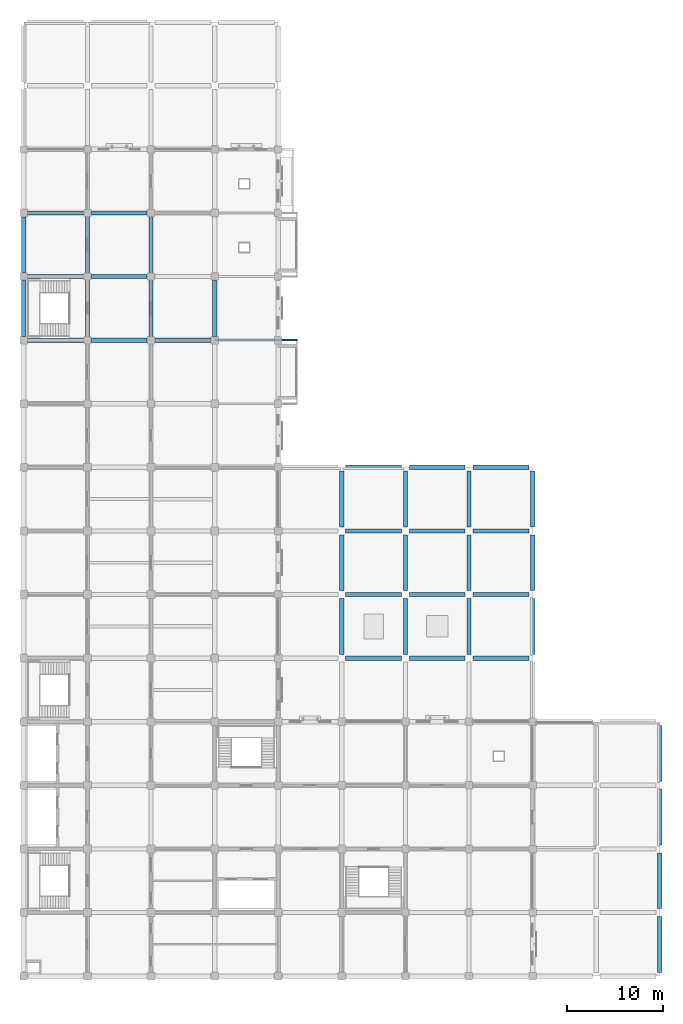
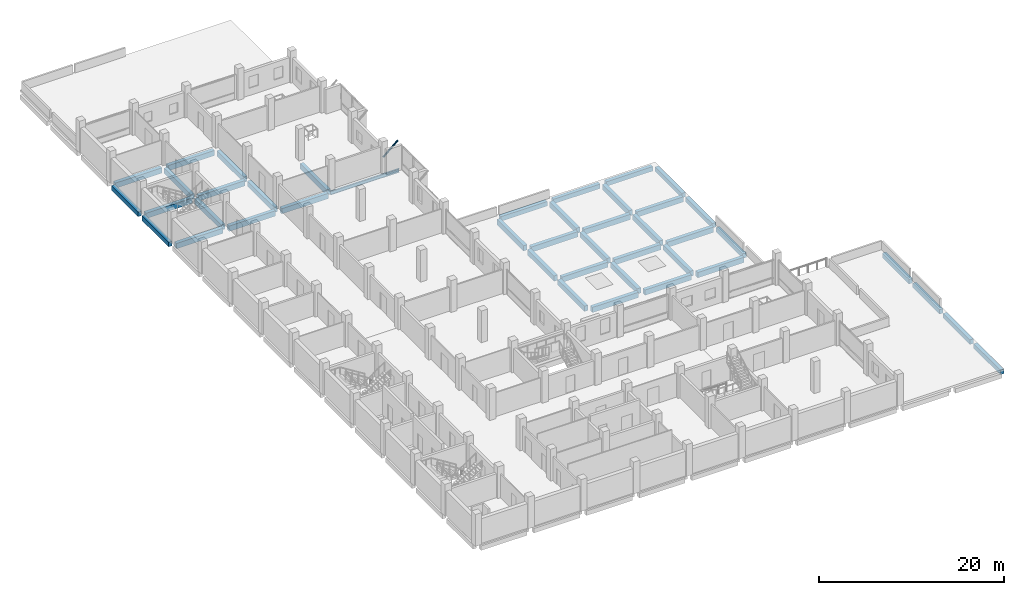
# One storey, part 9 of 23: 43 beams, 1 member.
"""IFC4 building model written with IfcOpenShell, lengths in metres."""

from ifc_helpers import new_model, si_unit, direction, frame, origin, origin_2d, place, context, subcontext, project, spatial, rectangle, hollow_circle, i_section, extrude, material, material_profile, profile_set, type_object, element, save


model = new_model("IFC4")

# Units and contexts
model_context = context("Model", 3, precision=1e-05, world=origin(), true_north=direction((0.0, 1.0)))
body_context = subcontext(model_context, "Body", "Model", "MODEL_VIEW")
ifc_project = project(units=[si_unit("LENGTHUNIT", "METRE"), si_unit("AREAUNIT", "SQUARE_METRE"), si_unit("VOLUMEUNIT", "CUBIC_METRE"), si_unit("PLANEANGLEUNIT", "RADIAN"), si_unit("MASSUNIT", "GRAM", prefix="KILO")], contexts=[model_context])

# Site, building, storey
site_placement = place(None, origin())
site = spatial("IfcSite", under=ifc_project, at=site_placement, CompositionType="ELEMENT")
building_placement = place(site_placement, origin())
building = spatial("IfcBuilding", under=site, at=building_placement, Name="Rusizi Kubbe Research Institute", CompositionType="ELEMENT")
storey_placement = place(building_placement, frame((0.0, 0.0, 18.60009765625)))
storey = spatial("IfcBuildingStorey", under=building, at=storey_placement, Name="L04", CompositionType="ELEMENT", Elevation=18.60009765625)

# Beams
ifc_material_1 = material(Name="Steel S355", Category="steel")
ifc_material_profile_1 = material_profile(ifc_material_1, i_section(OverallWidth=0.18994140625, OverallDepth=0.449951171875, WebThickness=0.009521484375, FlangeThickness=0.0146484375, at=origin_2d()), Name="IPE 450")
ifc_profile_set_1 = profile_set([ifc_material_profile_1], Name="Steel S355")
beam_type_1 = type_object("IfcBeamType", Name="BM-IPE450", PredefinedType="BEAM", material=ifc_profile_set_1)
beam_1_placement = place(storey_placement, frame((19.800048828125, 66.0, -0.565185546875), z_axis=(1.0, 0.0, 0.0), x_axis=(0.0, 1.0, 0.0)))
element("IfcBeam", 1, at=beam_1_placement, inside=storey, type_object=beam_type_1, Name="Cumba Back-Spanned Cantilever Beam L04-1N", PredefinedType="BEAM", context=body_context, shape_type="SweptSolid", body=[
    extrude(i_section(OverallWidth=0.18994140625, OverallDepth=0.449951171875, WebThickness=0.009521484375, FlangeThickness=0.0146484375, at=origin_2d()), origin(), (0.0, 0.0, 1.0), 8.599853515625),
])
ifc_material_2 = material(Name="Concrete C40/50", Category="concrete")
ifc_material_profile_2 = material_profile(ifc_material_2, rectangle(XDim=0.449951171875, YDim=0.60009765625, at=origin_2d()), Name="RC450x600")
ifc_profile_set_2 = profile_set([ifc_material_profile_2], Name="Concrete C40/50")
beam_type_2 = type_object("IfcBeamType", Name="BM-RC450x600", PredefinedType="SPANDREL", material=ifc_profile_set_2)
for number, where, z_axis, x_axis, name in (
    (2, (33.39990234375, 52.800048828125, -0.64013671875), (1.0, 0.0, 0.0), (0.0, 1.0, 0.0), "Grid Beam H L04 (5,8)"),
    (3, (40.0, 52.800048828125, -0.64013671875), (1.0, 0.0, 0.0), (0.0, 1.0, 0.0), "Grid Beam H L04 (6,8)"),
):
    element("IfcBeam", number, at=place(storey_placement, frame(where, z_axis=z_axis, x_axis=x_axis)), inside=storey, type_object=beam_type_2, Name=name, PredefinedType="SPANDREL", context=body_context, shape_type="SweptSolid", body=[
        extrude(rectangle(XDim=0.449951171875, YDim=0.60009765625, at=origin_2d()), origin(), (0.0, 0.0, 1.0), 5.800048828125),
    ])
beam_2_placement = place(storey_placement, frame((46.60009765625, 52.800048828125, -0.64013671875), z_axis=(1.0, 0.0, 0.0), x_axis=(0.0, 1.0, 0.0)))
element("IfcBeam", 4, at=beam_2_placement, inside=storey, type_object=beam_type_2, Name="Grid Beam H L04 (7,8)", PredefinedType="SPANDREL", context=body_context, shape_type="SweptSolid", body=[
    extrude(rectangle(XDim=0.449951171875, YDim=0.60009765625, at=origin_2d()), origin(), (0.0, 0.0, 1.0), 5.7998046875),
])
for number, where, z_axis, x_axis, name in (
    (5, (0.0, 66.39990234375, -0.64013671875), (0.0, 1.0, 0.0), (-1.0, 0.0, 0.0), "Grid Beam V L04 (0,10)"),
    (6, (0.0, 73.0, -0.64013671875), (0.0, 1.0, 0.0), (-1.0, 0.0, 0.0), "Grid Beam V L04 (0,11)"),
    (7, (52.800048828125, 33.39990234375, -0.64013671875), (0.0, 1.0, 0.0), (-1.0, 0.0, 0.0), "Grid Beam V L04 (8,5)"),
    (8, (52.800048828125, 40.0, -0.64013671875), (0.0, 1.0, 0.0), (-1.0, 0.0, 0.0), "Grid Beam V L04 (8,6)"),
):
    element("IfcBeam", number, at=place(storey_placement, frame(where, z_axis=z_axis, x_axis=x_axis)), inside=storey, type_object=beam_type_2, Name=name, PredefinedType="SPANDREL", context=body_context, shape_type="SweptSolid", body=[
        extrude(rectangle(XDim=0.449951171875, YDim=0.60009765625, at=origin_2d()), origin(), (0.0, 0.0, 1.0), 5.800048828125),
    ])
beam_3_placement = place(storey_placement, frame((52.800048828125, 46.60009765625, -0.64013671875), z_axis=(0.0, 1.0, 0.0), x_axis=(-1.0, 0.0, 0.0)))
element("IfcBeam", 9, at=beam_3_placement, inside=storey, type_object=beam_type_2, Name="Grid Beam V L04 (8,7)", PredefinedType="SPANDREL", context=body_context, shape_type="SweptSolid", body=[
    extrude(rectangle(XDim=0.449951171875, YDim=0.60009765625, at=origin_2d()), origin(), (0.0, 0.0, 1.0), 5.7998046875),
])
for number, where, z_axis, x_axis, name in (
    (10, (66.0, 0.39990234375, -0.64013671875), (0.0, 1.0, 0.0), (-1.0, 0.0, 0.0), "Grid Beam V L04 (10,0)"),
    (11, (66.0, 7.0, -0.64013671875), (0.0, 1.0, 0.0), (-1.0, 0.0, 0.0), "Grid Beam V L04 (10,1)"),
):
    element("IfcBeam", number, at=place(storey_placement, frame(where, z_axis=z_axis, x_axis=x_axis)), inside=storey, type_object=beam_type_2, Name=name, PredefinedType="SPANDREL", context=body_context, shape_type="SweptSolid", body=[
        extrude(rectangle(XDim=0.449951171875, YDim=0.60009765625, at=origin_2d()), origin(), (0.0, 0.0, 1.0), 5.800048828125),
    ])
beam_4_placement = place(storey_placement, frame((66.0, 13.60009765625, -0.64013671875), z_axis=(0.0, 1.0, 0.0), x_axis=(-1.0, 0.0, 0.0)))
element("IfcBeam", 12, at=beam_4_placement, inside=storey, type_object=beam_type_2, Name="Grid Beam V L04 (10,2)", PredefinedType="SPANDREL", context=body_context, shape_type="SweptSolid", body=[
    extrude(rectangle(XDim=0.449951171875, YDim=0.60009765625, at=origin_2d()), origin(), (0.0, 0.0, 1.0), 5.7998046875),
])
beam_5_placement = place(storey_placement, frame((66.0, 20.199951171875, -0.64013671875), z_axis=(0.0, 1.0, 0.0), x_axis=(-1.0, 0.0, 0.0)))
element("IfcBeam", 13, at=beam_5_placement, inside=storey, type_object=beam_type_2, Name="Grid Beam V L04 (10,3)", PredefinedType="SPANDREL", context=body_context, shape_type="SweptSolid", body=[
    extrude(rectangle(XDim=0.449951171875, YDim=0.60009765625, at=origin_2d()), origin(), (0.0, 0.0, 1.0), 5.800048828125),
])
ifc_material_3 = material(Name="Concrete C40/50", Category="concrete")
ifc_material_profile_3 = material_profile(ifc_material_3, rectangle(XDim=0.449951171875, YDim=0.699951171875, at=origin_2d()), Name="RC450x700B")
ifc_profile_set_3 = profile_set([ifc_material_profile_3], Name="Concrete C40/50")
beam_type_3 = type_object("IfcBeamType", Name="BM-RC450x700", PredefinedType="BEAM", material=ifc_profile_set_3)
for number, where, z_axis, x_axis, name in (
    (14, (0.39990234375, 66.0, -0.690185546875), (1.0, 0.0, 0.0), (0.0, 1.0, 0.0), "Grid Beam H L04 (0,10)"),
    (15, (0.39990234375, 72.60009765625, -0.690185546875), (1.0, 0.0, 0.0), (0.0, 1.0, 0.0), "Grid Beam H L04 (0,11)"),
    (16, (0.39990234375, 79.199951171875, -0.690185546875), (1.0, 0.0, 0.0), (0.0, 1.0, 0.0), "Grid Beam H L04 (0,12)"),
    (17, (7.0, 66.0, -0.690185546875), (1.0, 0.0, 0.0), (0.0, 1.0, 0.0), "Grid Beam H L04 (1,10)"),
    (18, (7.0, 72.60009765625, -0.690185546875), (1.0, 0.0, 0.0), (0.0, 1.0, 0.0), "Grid Beam H L04 (1,11)"),
    (19, (7.0, 79.199951171875, -0.690185546875), (1.0, 0.0, 0.0), (0.0, 1.0, 0.0), "Grid Beam H L04 (1,12)"),
):
    element("IfcBeam", number, at=place(storey_placement, frame(where, z_axis=z_axis, x_axis=x_axis)), inside=storey, type_object=beam_type_3, Name=name, PredefinedType="BEAM", context=body_context, shape_type="SweptSolid", body=[
        extrude(rectangle(XDim=0.449951171875, YDim=0.699951171875, at=origin_2d()), origin(), (0.0, 0.0, 1.0), 5.800048828125),
    ])
beam_6_placement = place(storey_placement, frame((13.60009765625, 66.0, -0.690185546875), z_axis=(1.0, 0.0, 0.0), x_axis=(0.0, 1.0, 0.0)))
element("IfcBeam", 20, at=beam_6_placement, inside=storey, type_object=beam_type_3, Name="Grid Beam H L04 (2,10)", PredefinedType="BEAM", context=body_context, shape_type="SweptSolid", body=[
    extrude(rectangle(XDim=0.449951171875, YDim=0.699951171875, at=origin_2d()), origin(), (0.0, 0.0, 1.0), 5.7998046875),
])
for number, where, z_axis, x_axis, name in (
    (21, (33.39990234375, 33.0, -0.690185546875), (1.0, 0.0, 0.0), (0.0, 1.0, 0.0), "Grid Beam H L04 (5,5)"),
    (22, (33.39990234375, 39.60009765625, -0.690185546875), (1.0, 0.0, 0.0), (0.0, 1.0, 0.0), "Grid Beam H L04 (5,6)"),
    (23, (33.39990234375, 46.199951171875, -0.690185546875), (1.0, 0.0, 0.0), (0.0, 1.0, 0.0), "Grid Beam H L04 (5,7)"),
    (24, (40.0, 33.0, -0.690185546875), (1.0, 0.0, 0.0), (0.0, 1.0, 0.0), "Grid Beam H L04 (6,5)"),
    (25, (40.0, 39.60009765625, -0.690185546875), (1.0, 0.0, 0.0), (0.0, 1.0, 0.0), "Grid Beam H L04 (6,6)"),
    (26, (40.0, 46.199951171875, -0.690185546875), (1.0, 0.0, 0.0), (0.0, 1.0, 0.0), "Grid Beam H L04 (6,7)"),
):
    element("IfcBeam", number, at=place(storey_placement, frame(where, z_axis=z_axis, x_axis=x_axis)), inside=storey, type_object=beam_type_3, Name=name, PredefinedType="BEAM", context=body_context, shape_type="SweptSolid", body=[
        extrude(rectangle(XDim=0.449951171875, YDim=0.699951171875, at=origin_2d()), origin(), (0.0, 0.0, 1.0), 5.800048828125),
    ])
for number, where, z_axis, x_axis, name in (
    (27, (46.60009765625, 33.0, -0.690185546875), (1.0, 0.0, 0.0), (0.0, 1.0, 0.0), "Grid Beam H L04 (7,5)"),
    (28, (46.60009765625, 39.60009765625, -0.690185546875), (1.0, 0.0, 0.0), (0.0, 1.0, 0.0), "Grid Beam H L04 (7,6)"),
    (29, (46.60009765625, 46.199951171875, -0.690185546875), (1.0, 0.0, 0.0), (0.0, 1.0, 0.0), "Grid Beam H L04 (7,7)"),
):
    element("IfcBeam", number, at=place(storey_placement, frame(where, z_axis=z_axis, x_axis=x_axis)), inside=storey, type_object=beam_type_3, Name=name, PredefinedType="BEAM", context=body_context, shape_type="SweptSolid", body=[
        extrude(rectangle(XDim=0.449951171875, YDim=0.699951171875, at=origin_2d()), origin(), (0.0, 0.0, 1.0), 5.7998046875),
    ])
for number, where, z_axis, x_axis, name in (
    (30, (6.60009765625, 66.39990234375, -0.690185546875), (0.0, 1.0, 0.0), (-1.0, 0.0, 0.0), "Grid Beam V L04 (1,10)"),
    (31, (6.60009765625, 73.0, -0.690185546875), (0.0, 1.0, 0.0), (-1.0, 0.0, 0.0), "Grid Beam V L04 (1,11)"),
    (32, (13.199951171875, 66.39990234375, -0.690185546875), (0.0, 1.0, 0.0), (-1.0, 0.0, 0.0), "Grid Beam V L04 (2,10)"),
    (33, (13.199951171875, 73.0, -0.690185546875), (0.0, 1.0, 0.0), (-1.0, 0.0, 0.0), "Grid Beam V L04 (2,11)"),
    (34, (19.800048828125, 66.39990234375, -0.690185546875), (0.0, 1.0, 0.0), (-1.0, 0.0, 0.0), "Grid Beam V L04 (3,10)"),
    (35, (33.0, 33.39990234375, -0.690185546875), (0.0, 1.0, 0.0), (-1.0, 0.0, 0.0), "Grid Beam V L04 (5,5)"),
    (36, (33.0, 40.0, -0.690185546875), (0.0, 1.0, 0.0), (-1.0, 0.0, 0.0), "Grid Beam V L04 (5,6)"),
):
    element("IfcBeam", number, at=place(storey_placement, frame(where, z_axis=z_axis, x_axis=x_axis)), inside=storey, type_object=beam_type_3, Name=name, PredefinedType="BEAM", context=body_context, shape_type="SweptSolid", body=[
        extrude(rectangle(XDim=0.449951171875, YDim=0.699951171875, at=origin_2d()), origin(), (0.0, 0.0, 1.0), 5.800048828125),
    ])
beam_7_placement = place(storey_placement, frame((33.0, 46.60009765625, -0.690185546875), z_axis=(0.0, 1.0, 0.0), x_axis=(-1.0, 0.0, 0.0)))
element("IfcBeam", 37, at=beam_7_placement, inside=storey, type_object=beam_type_3, Name="Grid Beam V L04 (5,7)", PredefinedType="BEAM", context=body_context, shape_type="SweptSolid", body=[
    extrude(rectangle(XDim=0.449951171875, YDim=0.699951171875, at=origin_2d()), origin(), (0.0, 0.0, 1.0), 5.7998046875),
])
for number, where, z_axis, x_axis, name in (
    (38, (39.60009765625, 33.39990234375, -0.690185546875), (0.0, 1.0, 0.0), (-1.0, 0.0, 0.0), "Grid Beam V L04 (6,5)"),
    (39, (39.60009765625, 40.0, -0.690185546875), (0.0, 1.0, 0.0), (-1.0, 0.0, 0.0), "Grid Beam V L04 (6,6)"),
):
    element("IfcBeam", number, at=place(storey_placement, frame(where, z_axis=z_axis, x_axis=x_axis)), inside=storey, type_object=beam_type_3, Name=name, PredefinedType="BEAM", context=body_context, shape_type="SweptSolid", body=[
        extrude(rectangle(XDim=0.449951171875, YDim=0.699951171875, at=origin_2d()), origin(), (0.0, 0.0, 1.0), 5.800048828125),
    ])
beam_8_placement = place(storey_placement, frame((39.60009765625, 46.60009765625, -0.690185546875), z_axis=(0.0, 1.0, 0.0), x_axis=(-1.0, 0.0, 0.0)))
element("IfcBeam", 40, at=beam_8_placement, inside=storey, type_object=beam_type_3, Name="Grid Beam V L04 (6,7)", PredefinedType="BEAM", context=body_context, shape_type="SweptSolid", body=[
    extrude(rectangle(XDim=0.449951171875, YDim=0.699951171875, at=origin_2d()), origin(), (0.0, 0.0, 1.0), 5.7998046875),
])
for number, where, z_axis, x_axis, name in (
    (41, (46.199951171875, 33.39990234375, -0.690185546875), (0.0, 1.0, 0.0), (-1.0, 0.0, 0.0), "Grid Beam V L04 (7,5)"),
    (42, (46.199951171875, 40.0, -0.690185546875), (0.0, 1.0, 0.0), (-1.0, 0.0, 0.0), "Grid Beam V L04 (7,6)"),
):
    element("IfcBeam", number, at=place(storey_placement, frame(where, z_axis=z_axis, x_axis=x_axis)), inside=storey, type_object=beam_type_3, Name=name, PredefinedType="BEAM", context=body_context, shape_type="SweptSolid", body=[
        extrude(rectangle(XDim=0.449951171875, YDim=0.699951171875, at=origin_2d()), origin(), (0.0, 0.0, 1.0), 5.800048828125),
    ])
beam_9_placement = place(storey_placement, frame((46.199951171875, 46.60009765625, -0.690185546875), z_axis=(0.0, 1.0, 0.0), x_axis=(-1.0, 0.0, 0.0)))
element("IfcBeam", 43, at=beam_9_placement, inside=storey, type_object=beam_type_3, Name="Grid Beam V L04 (7,7)", PredefinedType="BEAM", context=body_context, shape_type="SweptSolid", body=[
    extrude(rectangle(XDim=0.449951171875, YDim=0.699951171875, at=origin_2d()), origin(), (0.0, 0.0, 1.0), 5.7998046875),
])

# Member
ifc_material_4 = material(Name="Steel S355", Category="steel")
ifc_material_profile_4 = material_profile(ifc_material_4, hollow_circle(Radius=0.109619140625, WallThickness=0.008056640625, at=origin_2d()), Name="CHS 219.1x8.0")
ifc_profile_set_4 = profile_set([ifc_material_profile_4], Name="Steel S355")
member_type = type_object("IfcMemberType", Name="MB-CHS219", PredefinedType="BRACE", material=ifc_profile_set_4)
member_placement = place(storey_placement, frame((26.39990234375, 66.0, 1.85986328125), z_axis=(0.756360503059, 0.0, 0.654155019405), x_axis=(0.0, 1.0, 0.0)))
element("IfcMember", 44, at=member_placement, inside=storey, type_object=member_type, Name="Cumba Diagonal Corbel Brace L05-1N", PredefinedType="BRACE", context=body_context, shape_type="SweptSolid", body=[
    extrude(hollow_circle(Radius=0.109619140625, WallThickness=0.008056640625, at=origin_2d()), origin(), (0.0, 0.0, 1.0), 2.446044921875),
])

save(model, "model.ifc")
